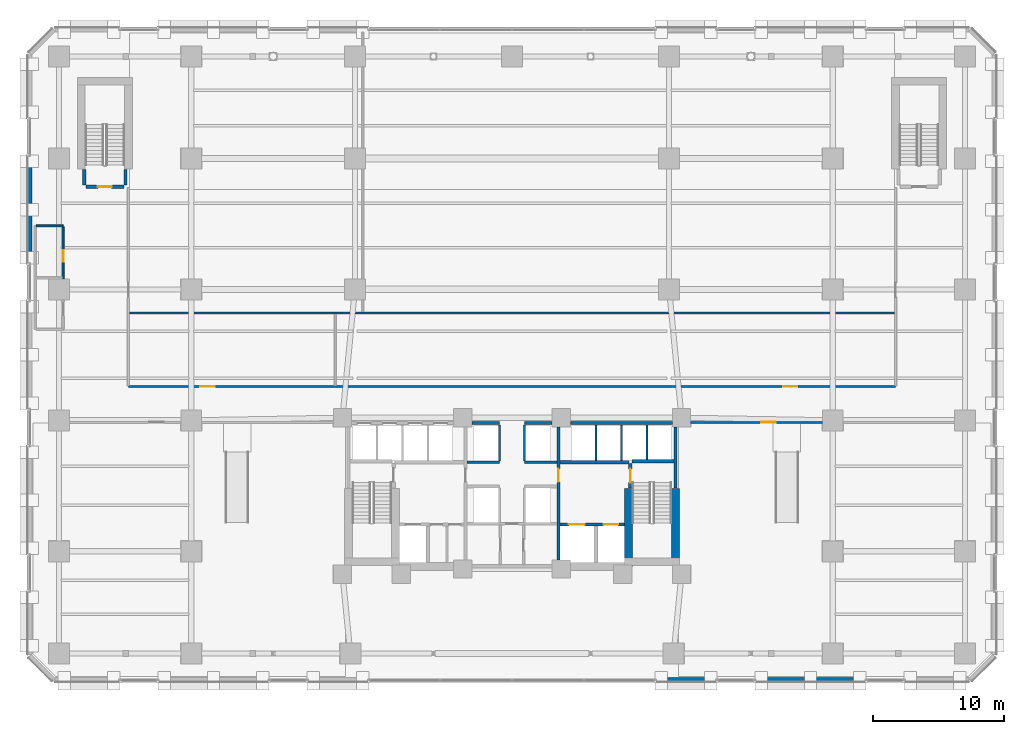
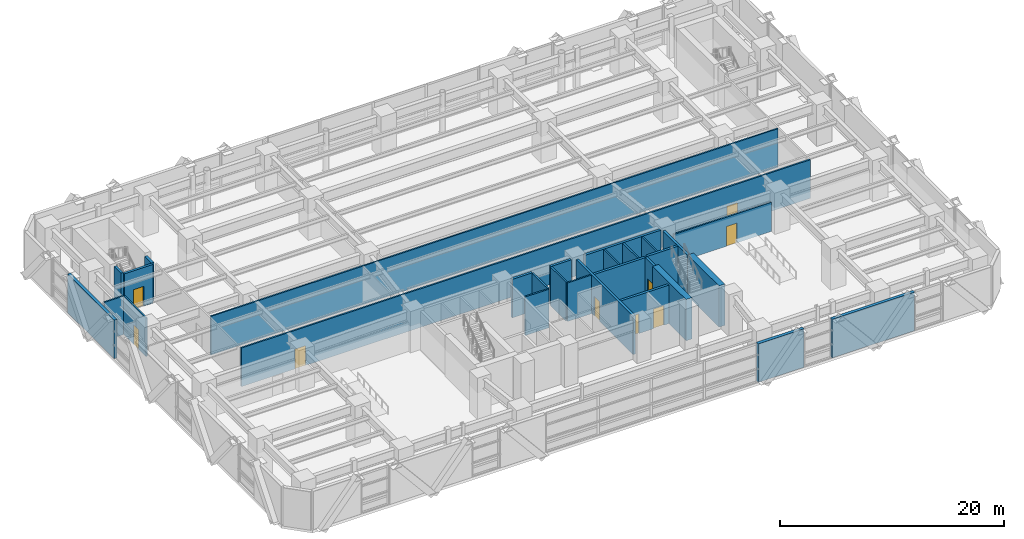
# One storey, part 15 of 26: 29 walls, 9 doors, 9 openings.
"""IFC4 building model written with IfcOpenShell, lengths in metres."""

from ifc_helpers import new_model, si_unit, direction, frame, frame_2d, origin, place, context, subcontext, project, spatial, rectangle, extrude, material, layer, layer_set, type_object, element, fill, save


model = new_model("IFC4")

# Units and contexts
model_context = context("Model", 3, precision=1e-05, world=origin(), true_north=direction((0.0, 1.0)))
body_context = subcontext(model_context, "Body", "Model", "MODEL_VIEW")
ifc_project = project(units=[si_unit("LENGTHUNIT", "METRE"), si_unit("AREAUNIT", "SQUARE_METRE"), si_unit("VOLUMEUNIT", "CUBIC_METRE"), si_unit("PLANEANGLEUNIT", "RADIAN"), si_unit("MASSUNIT", "GRAM", prefix="KILO")], contexts=[model_context])

# Site, building, storey
site_placement = place(None, origin())
site = spatial("IfcSite", under=ifc_project, at=site_placement, CompositionType="ELEMENT")
building_placement = place(site_placement, origin())
building = spatial("IfcBuilding", under=site, at=building_placement, Name="Quenlor Broadcast Tower", CompositionType="ELEMENT")
storey_placement = place(building_placement, frame((0.0, 0.0, 5.0)))
storey = spatial("IfcBuildingStorey", under=building, at=storey_placement, Name="L01", CompositionType="ELEMENT", Elevation=5.0)

# Wall
ifc_material_1 = material(Name="Acoustic Double Stud Gypsum Partition", Category="other")
ifc_layer_1 = layer(ifc_material_1, 0.14990234375)
ifc_layer_set_1 = layer_set([ifc_layer_1], Name="Broadcast Studio Acoustic Partition 150")
wall_type_1 = type_object("IfcWallType", Name="Broadcast Studio Acoustic Partition 150", PredefinedType="PARTITIONING", material=ifc_layer_set_1)
wall_1_placement = place(storey_placement, frame((-29.219970703125, 3.199951171875, 0.0), z_axis=(0.0, 0.0, 1.0), x_axis=(1.0, 0.0, 0.0)))
element("IfcWall", 1, at=wall_1_placement, inside=storey, type_object=wall_type_1, Name="L01 Interior Wall PW-PD-HY", PredefinedType="PARTITIONING", context=body_context, shape_type="SweptSolid", body=[
    extrude(rectangle(XDim=58.43994140625, YDim=0.14990234375, at=frame_2d((29.219970703125, 0.0))), origin(), (0.0, 0.0, 1.0), 4.199951171875),
])

# Wall, opening, door
wall_2_placement = place(storey_placement, frame((-34.280029296875, 5.802001953125, 0.0), z_axis=(0.0, 0.0, 1.0), x_axis=(0.0, 1.0, 0.0)))
wall_2 = element("IfcWall", 2, at=wall_2_placement, inside=storey, type_object=wall_type_1, Name="L01 Interior Wall PW-PD-WCES2", PredefinedType="PARTITIONING", context=body_context, shape_type="SweptSolid", body=[
    extrude(rectangle(XDim=3.988037109375, YDim=0.14990234375, at=frame_2d((1.994140625, 0.0))), origin(), (0.0, 0.0, 1.0), 4.199951171875),
])
opening_1_placement = place(wall_2_placement, frame((1.30810546875, 0.0, 0.0)))
opening_1 = element("IfcOpeningElement", 3, at=opening_1_placement, cuts=wall_2, Name="Opening ID-3", PredefinedType="OPENING", context=body_context, shape_type="SweptSolid", body=[
    extrude(rectangle(XDim=0.89990234375, YDim=2.1201171875, at=frame_2d((0.449951171875, 1.06005859375))), frame((0.0, 0.0849609375, 0.0), z_axis=(0.0, -1.0, 0.0), x_axis=(1.0, 0.0, 0.0)), (0.0, 0.0, 1.0), 0.169921875),
])
ifc_material_2 = material(Name="Moisture Resistant Timber Oak", Category="wood")
door_type_1 = type_object("IfcDoorType", Name="Washroom Privacy Door 900x2120", OperationType="NOTDEFINED", PredefinedType="DOOR", material=ifc_material_2)
door_1_placement = place(opening_1_placement, origin())
door_1 = element("IfcDoor", 4, at=door_1_placement, inside=storey, type_object=door_type_1, Name="L01 Door DR-PD-FWC", OperationType="SINGLE_SWING_RIGHT", OverallHeight=2.1201171875, OverallWidth=0.89990234375, PredefinedType="DOOR", context=body_context, shape_type="SweptSolid", body=[
    extrude(rectangle(XDim=0.89990234375, YDim=2.1201171875, at=frame_2d((0.449951171875, 1.06005859375))), frame((0.0, 0.02490234375, 0.0), z_axis=(0.0, -1.0, 0.0), x_axis=(1.0, 0.0, 0.0)), (0.0, 0.0, 1.0), 0.050048828125),
])
fill(opening_1, door_1)

# Walls
wall_3_placement = place(storey_placement, frame((-36.343017578125, 9.85009765625, 0.0), z_axis=(0.0, 0.0, 1.0), x_axis=(1.0, 0.0, 0.0)))
element("IfcWall", 5, at=wall_3_placement, inside=storey, type_object=wall_type_1, Name="L01 Interior Wall PW-PD-WCN", PredefinedType="PARTITIONING", context=body_context, shape_type="SweptSolid", body=[
    extrude(rectangle(XDim=2.06298828125, YDim=0.14990234375, at=frame_2d((1.031494140625, 0.0))), origin(), (0.0, 0.0, 1.0), 4.199951171875),
])
ifc_material_3 = material(Name="Concrete C65/80", Category="concrete")
ifc_layer_2 = layer(ifc_material_3, 0.60009765625)
ifc_layer_set_2 = layer_set([ifc_layer_2], Name="Core Concrete C65/80 Shear Wall 600")
wall_type_2 = type_object("IfcWallType", Name="Core Concrete C65/80 Shear Wall 600", PredefinedType="SHEAR", material=ifc_layer_set_2)
wall_4_placement = place(storey_placement, frame((12.5, -15.800048828125, 0.0), z_axis=(0.0, 0.0, 1.0), x_axis=(0.0, 1.0, 0.0)))
element("IfcWall", 6, at=wall_4_placement, inside=storey, type_object=wall_type_2, Name="L01 Core Shear Wall WF-E", PredefinedType="SHEAR", context=body_context, shape_type="SweptSolid", body=[
    extrude(rectangle(XDim=5.60009765625, YDim=0.60009765625, at=frame_2d((2.800048828125, 0.0))), origin(), (0.0, 0.0, 1.0), 4.5),
])
wall_5_placement = place(storey_placement, frame((8.89990234375, -16.14990234375, 0.0), z_axis=(0.0, 0.0, 1.0), x_axis=(0.0, 1.0, 0.0)))
element("IfcWall", 7, at=wall_5_placement, inside=storey, type_object=wall_type_2, Name="L01 Core Shear Wall WI-E", PredefinedType="SHEAR", context=body_context, shape_type="SweptSolid", body=[
    extrude(rectangle(XDim=5.949951171875, YDim=0.60009765625, at=frame_2d((2.97509765625, 0.0))), origin(), (0.0, 0.0, 1.0), 4.5),
])

# Wall, opening, door
ifc_material_4 = material(Name="Concrete C40/50", Category="concrete")
ifc_layer_3 = layer(ifc_material_4, 0.25)
ifc_layer_set_3 = layer_set([ifc_layer_3], Name="Fire Rated Concrete C40/50 Core Wall 250")
wall_type_3 = type_object("IfcWallType", Name="Fire Rated Concrete C40/50 Core Wall 250", PredefinedType="PARTITIONING", material=ifc_layer_set_3)
wall_6_placement = place(storey_placement, frame((9.0400390625, -10.179931640625, 0.0), z_axis=(0.0, 0.0, 1.0), x_axis=(0.0, 1.0, 0.0)))
wall_6 = element("IfcWall", 8, at=wall_6_placement, inside=storey, type_object=wall_type_3, Name="L01 Interior Wall CW-ST2-DR", PredefinedType="PARTITIONING", context=body_context, shape_type="SweptSolid", body=[
    extrude(rectangle(XDim=1.89990234375, YDim=0.25, at=frame_2d((0.949951171875, 0.0))), origin(), (0.0, 0.0, 1.0), 4.199951171875),
])
opening_2_placement = place(wall_6_placement, frame((0.419921875, 0.0, 0.0)))
opening_2 = element("IfcOpeningElement", 9, at=opening_2_placement, cuts=wall_6, Name="Opening FD-1", PredefinedType="OPENING", context=body_context, shape_type="SweptSolid", body=[
    extrude(rectangle(XDim=1.050048828125, YDim=2.14990234375, at=frame_2d((0.52490234375, 1.074951171875))), frame((0.0, 0.135009765625, 0.0), z_axis=(0.0, -1.0, 0.0), x_axis=(1.0, 0.0, 0.0)), (0.0, 0.0, 1.0), 0.27001953125),
])
ifc_material_5 = material(Name="Fire Rated Steel Door Leaf", Category="steel")
door_type_2 = type_object("IfcDoorType", Name="Fire Isolated Stair Door 1050x2150", OperationType="NOTDEFINED", PredefinedType="DOOR", material=ifc_material_5)
door_2_placement = place(opening_2_placement, origin())
door_2 = element("IfcDoor", 10, at=door_2_placement, inside=storey, type_object=door_type_2, Name="L01 Door DR-ST2", OperationType="SINGLE_SWING_RIGHT", OverallHeight=2.14990234375, OverallWidth=1.050048828125, PredefinedType="DOOR", context=body_context, shape_type="SweptSolid", body=[
    extrude(rectangle(XDim=1.050048828125, YDim=2.14990234375, at=frame_2d((0.52490234375, 1.074951171875))), frame((0.0, 0.02490234375, 0.0), z_axis=(0.0, -1.0, 0.0), x_axis=(1.0, 0.0, 0.0)), (0.0, 0.0, 1.0), 0.050048828125),
])
fill(opening_2, door_2)

# Walls
wall_7_placement = place(storey_placement, frame((9.159912109375, -8.1201171875, 0.0), z_axis=(0.0, 0.0, 1.0), x_axis=(1.0, 0.0, 0.0)))
element("IfcWall", 11, at=wall_7_placement, inside=storey, type_object=wall_type_3, Name="L01 Interior Wall CW-ST2-N", PredefinedType="PARTITIONING", context=body_context, shape_type="SweptSolid", body=[
    extrude(rectangle(XDim=3.219970703125, YDim=0.25, at=frame_2d((1.60986328125, 0.0))), origin(), (0.0, 0.0, 1.0), 4.199951171875),
])
wall_8_placement = place(storey_placement, frame((12.47998046875, -10.179931640625, 0.0), z_axis=(0.0, 0.0, 1.0), x_axis=(0.0, 1.0, 0.0)))
element("IfcWall", 12, at=wall_8_placement, inside=storey, type_object=wall_type_3, Name="L01 Interior Wall CW-ST2-E2", PredefinedType="PARTITIONING", context=body_context, shape_type="SweptSolid", body=[
    extrude(rectangle(XDim=4.677978515625, YDim=0.25, at=frame_2d((2.3388671875, 0.0))), origin(), (0.0, 0.0, 1.0), 4.199951171875),
])

# Wall, opening, door
wall_9_placement = place(storey_placement, frame((-32.550048828125, 12.840087890625, 0.0), z_axis=(0.0, 0.0, 1.0), x_axis=(1.0, 0.0, 0.0)))
wall_9 = element("IfcWall", 13, at=wall_9_placement, inside=storey, type_object=wall_type_3, Name="L01 Interior Wall CW-ST3-S", PredefinedType="PARTITIONING", context=body_context, shape_type="SweptSolid", body=[
    extrude(rectangle(XDim=2.900146484375, YDim=0.25, at=frame_2d((1.4501953125, 0.0))), origin(), (0.0, 0.0, 1.0), 4.199951171875),
])
opening_3_placement = place(wall_9_placement, frame((0.919921875, 0.0, 0.0)))
opening_3 = element("IfcOpeningElement", 14, at=opening_3_placement, cuts=wall_9, Name="Opening FD-1", PredefinedType="OPENING", context=body_context, shape_type="SweptSolid", body=[
    extrude(rectangle(XDim=1.050048828125, YDim=2.14990234375, at=frame_2d((0.52490234375, 1.074951171875))), frame((0.0, 0.135009765625, 0.0), z_axis=(0.0, -1.0, 0.0), x_axis=(1.0, 0.0, 0.0)), (0.0, 0.0, 1.0), 0.27001953125),
])
door_3_placement = place(opening_3_placement, origin())
door_3 = element("IfcDoor", 15, at=door_3_placement, inside=storey, type_object=door_type_2, Name="L01 Door DR-ST3", OperationType="SINGLE_SWING_LEFT", OverallHeight=2.14990234375, OverallWidth=1.050048828125, PredefinedType="DOOR", context=body_context, shape_type="SweptSolid", body=[
    extrude(rectangle(XDim=1.050048828125, YDim=2.14990234375, at=frame_2d((0.52490234375, 1.074951171875))), frame((0.0, 0.02490234375, 0.0), z_axis=(0.0, -1.0, 0.0), x_axis=(1.0, 0.0, 0.0)), (0.0, 0.0, 1.0), 0.050048828125),
])
fill(opening_3, door_3)

# Walls
for number, where, z_axis, x_axis, name in (
    (16, (-32.679931640625, 12.9599609375, 0.0), (0.0, 0.0, 1.0), (0.0, 1.0, 0.0), "L01 Interior Wall CW-ST3-W1"),
    (17, (-29.52001953125, 12.9599609375, 0.0), (0.0, 0.0, 1.0), (0.0, 1.0, 0.0), "L01 Interior Wall CW-ST3-E1"),
):
    element("IfcWall", number, at=place(storey_placement, frame(where, z_axis=z_axis, x_axis=x_axis)), inside=storey, type_object=wall_type_3, Name=name, PredefinedType="PARTITIONING", context=body_context, shape_type="SweptSolid", body=[
        extrude(rectangle(XDim=1.219970703125, YDim=0.25, at=frame_2d((0.60986328125, 0.0))), origin(), (0.0, 0.0, 1.0), 4.199951171875),
    ])

# Wall, openings, doors
wall_10_placement = place(storey_placement, frame((3.679931640625, -12.949951171875, 0.0), z_axis=(0.0, 0.0, 1.0), x_axis=(1.0, 0.0, 0.0)))
wall_10 = element("IfcWall", 18, at=wall_10_placement, inside=storey, type_object=wall_type_3, Name="L01 Interior Wall CW-FFE-S", PredefinedType="PARTITIONING", context=body_context, shape_type="SweptSolid", body=[
    extrude(rectangle(XDim=4.91796875, YDim=0.25, at=frame_2d((2.458984375, 0.0))), origin(), (0.0, 0.0, 1.0), 4.199951171875),
])
opening_4_placement = place(wall_10_placement, frame((3.320068359375, 0.0, 0.0)))
opening_4 = element("IfcOpeningElement", 19, at=opening_4_placement, cuts=wall_10, Name="Opening LD-FFL-2", PredefinedType="OPENING", context=body_context, shape_type="SweptSolid", body=[
    extrude(rectangle(XDim=1.10009765625, YDim=2.14990234375, at=frame_2d((0.550048828125, 1.074951171875))), frame((0.0, 0.135009765625, 0.0), z_axis=(0.0, -1.0, 0.0), x_axis=(1.0, 0.0, 0.0)), (0.0, 0.0, 1.0), 0.27001953125),
])
opening_5_placement = place(wall_10_placement, frame((0.669921875, 0.0, 0.0)))
opening_5 = element("IfcOpeningElement", 20, at=opening_5_placement, cuts=wall_10, Name="Opening LD-SVL-1", PredefinedType="OPENING", context=body_context, shape_type="SweptSolid", body=[
    extrude(rectangle(XDim=1.199951171875, YDim=2.14990234375, at=frame_2d((0.60009765625, 1.074951171875))), frame((0.0, 0.135009765625, 0.0), z_axis=(0.0, -1.0, 0.0), x_axis=(1.0, 0.0, 0.0)), (0.0, 0.0, 1.0), 0.27001953125),
])
ifc_material_6 = material(Name="Brushed Stainless Steel", Category="steel")
door_type_3 = type_object("IfcDoorType", Name="Emergency Lift Sliding Landing Door 1100x2150", OperationType="NOTDEFINED", PredefinedType="DOOR", material=ifc_material_6)
door_4_placement = place(opening_4_placement, origin())
door_4 = element("IfcDoor", 21, at=door_4_placement, inside=storey, type_object=door_type_3, Name="L01 Door LD-FFL-2", OperationType="SLIDING_TO_RIGHT", OverallHeight=2.14990234375, OverallWidth=1.10009765625, PredefinedType="DOOR", context=body_context, shape_type="SweptSolid", body=[
    extrude(rectangle(XDim=1.10009765625, YDim=2.14990234375, at=frame_2d((0.550048828125, 1.074951171875))), frame((0.0, 0.02490234375, 0.0), z_axis=(0.0, -1.0, 0.0), x_axis=(1.0, 0.0, 0.0)), (0.0, 0.0, 1.0), 0.050048828125),
])
fill(opening_4, door_4)
ifc_material_7 = material(Name="Brushed Stainless Steel", Category="steel")
door_type_4 = type_object("IfcDoorType", Name="Goods Lift Sliding Landing Door 1200x2150", OperationType="NOTDEFINED", PredefinedType="DOOR", material=ifc_material_7)
door_5_placement = place(opening_5_placement, origin())
door_5 = element("IfcDoor", 22, at=door_5_placement, inside=storey, type_object=door_type_4, Name="L01 Door LD-SVL-1", OperationType="SLIDING_TO_LEFT", OverallHeight=2.14990234375, OverallWidth=1.199951171875, PredefinedType="DOOR", context=body_context, shape_type="SweptSolid", body=[
    extrude(rectangle(XDim=1.199951171875, YDim=2.14990234375, at=frame_2d((0.60009765625, 1.074951171875))), frame((0.0, 0.02490234375, 0.0), z_axis=(0.0, -1.0, 0.0), x_axis=(1.0, 0.0, 0.0)), (0.0, 0.0, 1.0), 0.050048828125),
])
fill(opening_5, door_5)

# Wall
wall_11_placement = place(storey_placement, frame((3.679931640625, -8.199951171875, 0.0), z_axis=(0.0, 0.0, 1.0), x_axis=(1.0, 0.0, 0.0)))
element("IfcWall", 23, at=wall_11_placement, inside=storey, type_object=wall_type_3, Name="L01 Interior Wall CW-FFE-N", PredefinedType="PARTITIONING", context=body_context, shape_type="SweptSolid", body=[
    extrude(rectangle(XDim=5.239990234375, YDim=0.25, at=frame_2d((2.6201171875, 0.0))), origin(), (0.0, 0.0, 1.0), 4.199951171875),
])

# Wall, opening, door
wall_12_placement = place(storey_placement, frame((3.550048828125, -15.64794921875, 0.0), z_axis=(0.0, 0.0, 1.0), x_axis=(0.0, 1.0, 0.0)))
wall_12 = element("IfcWall", 24, at=wall_12_placement, inside=storey, type_object=wall_type_3, Name="L01 Interior Wall CW-FFE-W", PredefinedType="PARTITIONING", context=body_context, shape_type="SweptSolid", body=[
    extrude(rectangle(XDim=10.14599609375, YDim=0.25, at=frame_2d((5.072998046875, 0.0))), origin(), (0.0, 0.0, 1.0), 4.199951171875),
])
opening_6_placement = place(wall_12_placement, frame((5.947998046875, 0.0, 0.0)))
opening_6 = element("IfcOpeningElement", 25, at=opening_6_placement, cuts=wall_12, Name="Opening FD-2", PredefinedType="OPENING", context=body_context, shape_type="SweptSolid", body=[
    extrude(rectangle(XDim=1.0, YDim=2.14990234375, at=frame_2d((0.5, 1.074951171875))), frame((0.0, 0.135009765625, 0.0), z_axis=(0.0, -1.0, 0.0), x_axis=(1.0, 0.0, 0.0)), (0.0, 0.0, 1.0), 0.27001953125),
])
ifc_material_8 = material(Name="Fire Rated Glazed Steel Door", Category="steel")
door_type_5 = type_object("IfcDoorType", Name="Firefighting Lobby Smoke Door 1000x2150", OperationType="NOTDEFINED", PredefinedType="DOOR", material=ifc_material_8)
door_6_placement = place(opening_6_placement, origin())
door_6 = element("IfcDoor", 26, at=door_6_placement, inside=storey, type_object=door_type_5, Name="L01 Door DR-FFLE", OperationType="SINGLE_SWING_LEFT", OverallHeight=2.14990234375, OverallWidth=1.0, PredefinedType="DOOR", context=body_context, shape_type="SweptSolid", body=[
    extrude(rectangle(XDim=1.0, YDim=2.14990234375, at=frame_2d((0.5, 1.074951171875))), frame((0.0, 0.02490234375, 0.0), z_axis=(0.0, -1.0, 0.0), x_axis=(1.0, 0.0, 0.0)), (0.0, 0.0, 1.0), 0.050048828125),
])
fill(opening_6, door_6)

# Walls
wall_13_placement = place(storey_placement, frame((4.451904296875, -5.199951171875, 0.0), z_axis=(0.0, 0.0, 1.0), x_axis=(1.0, 0.0, 0.0)))
element("IfcWall", 27, at=wall_13_placement, inside=storey, type_object=wall_type_3, Name="L01 Interior Wall CW-N-E", PredefinedType="PARTITIONING", context=body_context, shape_type="SweptSolid", body=[
    extrude(rectangle(XDim=7.796142578125, YDim=0.25, at=frame_2d((3.89794921875, 0.0))), origin(), (0.0, 0.0, 1.0), 4.199951171875),
])
for number, where, z_axis, x_axis, name in (
    (28, (-3.048095703125, -5.199951171875, 0.0), (0.0, 0.0, 1.0), (1.0, 0.0, 0.0), "L01 Interior Wall CW-N-M1"),
    (29, (0.949951171875, -5.199951171875, 0.0), (0.0, 0.0, 1.0), (1.0, 0.0, 0.0), "L01 Interior Wall CW-N-M2"),
):
    element("IfcWall", number, at=place(storey_placement, frame(where, z_axis=z_axis, x_axis=x_axis)), inside=storey, type_object=wall_type_3, Name=name, PredefinedType="PARTITIONING", context=body_context, shape_type="SweptSolid", body=[
        extrude(rectangle(XDim=2.09814453125, YDim=0.25, at=frame_2d((1.049072265625, 0.0))), origin(), (0.0, 0.0, 1.0), 4.199951171875),
    ])
ifc_material_9 = material(Name="Gypsum Fireboard Partition", Category="other")
ifc_layer_4 = layer(ifc_material_9, 0.159912109375)
ifc_layer_set_4 = layer_set([ifc_layer_4], Name="Fire Rated Shaft and Corridor Partition 160")
wall_type_4 = type_object("IfcWallType", Name="Fire Rated Shaft and Corridor Partition 160", PredefinedType="PARTITIONING", material=ifc_layer_set_4)
for number, where, z_axis, x_axis, name in (
    (30, (6.425048828125, -8.072998046875, 0.0), (0.0, 0.0, 1.0), (0.0, 1.0, 0.0), "L01 Interior Wall CW-PLH-D1"),
    (31, (8.375, -8.072998046875, 0.0), (0.0, 0.0, 1.0), (0.0, 1.0, 0.0), "L01 Interior Wall CW-PLH-D2"),
):
    element("IfcWall", number, at=place(storey_placement, frame(where, z_axis=z_axis, x_axis=x_axis)), inside=storey, type_object=wall_type_4, Name=name, PredefinedType="PARTITIONING", context=body_context, shape_type="SweptSolid", body=[
        extrude(rectangle(XDim=2.73291015625, YDim=0.159912109375, at=frame_2d((1.366455078125, 0.0))), origin(), (0.0, 0.0, 1.0), 4.199951171875),
    ])
wall_14_placement = place(storey_placement, frame((10.324951171875, -7.992919921875, 0.0), z_axis=(0.0, 0.0, 1.0), x_axis=(0.0, 1.0, 0.0)))
element("IfcWall", 32, at=wall_14_placement, inside=storey, type_object=wall_type_4, Name="L01 Interior Wall CW-PLH-D3", PredefinedType="PARTITIONING", context=body_context, shape_type="SweptSolid", body=[
    extrude(rectangle(XDim=2.65283203125, YDim=0.159912109375, at=frame_2d((1.326416015625, 0.0))), origin(), (0.0, 0.0, 1.0), 4.199951171875),
])
for number, where, z_axis, x_axis, name in (
    (33, (-0.949951171875, -8.1201171875, 0.0), (0.0, 0.0, 1.0), (0.0, 1.0, 0.0), "L01 Interior Wall CW-CCRP-W"),
    (34, (0.949951171875, -8.1201171875, 0.0), (0.0, 0.0, 1.0), (0.0, 1.0, 0.0), "L01 Interior Wall CW-CCRP-E"),
):
    element("IfcWall", number, at=place(storey_placement, frame(where, z_axis=z_axis, x_axis=x_axis)), inside=storey, type_object=wall_type_4, Name=name, PredefinedType="PARTITIONING", context=body_context, shape_type="SweptSolid", body=[
        extrude(rectangle(XDim=2.780029296875, YDim=0.159912109375, at=frame_2d((1.39013671875, 0.0))), origin(), (0.0, 0.0, 1.0), 4.199951171875),
    ])
for number, where, z_axis, x_axis, name in (
    (35, (-3.419921875, -8.199951171875, 0.0), (0.0, 0.0, 1.0), (1.0, 0.0, 0.0), "L01 Interior Wall CW-M-BACK1"),
    (36, (0.949951171875, -8.199951171875, 0.0), (0.0, 0.0, 1.0), (1.0, 0.0, 0.0), "L01 Interior Wall CW-M-BACK2"),
):
    element("IfcWall", number, at=place(storey_placement, frame(where, z_axis=z_axis, x_axis=x_axis)), inside=storey, type_object=wall_type_4, Name=name, PredefinedType="PARTITIONING", context=body_context, shape_type="SweptSolid", body=[
        extrude(rectangle(XDim=2.469970703125, YDim=0.159912109375, at=frame_2d((1.23486328125, 0.0))), origin(), (0.0, 0.0, 1.0), 4.199951171875),
    ])

# Wall, openings, doors
wall_15_placement = place(storey_placement, frame((-29.300048828125, -2.419921875, 0.0), z_axis=(0.0, 0.0, 1.0), x_axis=(1.0, 0.0, 0.0)))
wall_15 = element("IfcWall", 37, at=wall_15_placement, inside=storey, type_object=wall_type_4, Name="L01 Interior Wall PW-PD-CN", PredefinedType="PARTITIONING", context=body_context, shape_type="SweptSolid", body=[
    extrude(rectangle(XDim=58.60009765625, YDim=0.159912109375, at=frame_2d((29.300048828125, 0.0))), origin(), (0.0, 0.0, 1.0), 4.199951171875),
])
opening_7_placement = place(wall_15_placement, frame((5.5, 0.0, 0.0)))
opening_7 = element("IfcOpeningElement", 38, at=opening_7_placement, cuts=wall_15, Name="Opening ID-2", PredefinedType="OPENING", context=body_context, shape_type="SweptSolid", body=[
    extrude(rectangle(XDim=1.10009765625, YDim=2.14990234375, at=frame_2d((0.550048828125, 1.074951171875))), frame((0.0, 0.08984375, 0.0), z_axis=(0.0, -1.0, 0.0), x_axis=(1.0, 0.0, 0.0)), (0.0, 0.0, 1.0), 0.179931640625),
])
opening_8_placement = place(wall_15_placement, frame((50.0, 0.0, 0.0)))
opening_8 = element("IfcOpeningElement", 39, at=opening_8_placement, cuts=wall_15, Name="Opening ID-2", PredefinedType="OPENING", context=body_context, shape_type="SweptSolid", body=[
    extrude(rectangle(XDim=1.10009765625, YDim=2.14990234375, at=frame_2d((0.550048828125, 1.074951171875))), frame((0.0, 0.08984375, 0.0), z_axis=(0.0, -1.0, 0.0), x_axis=(1.0, 0.0, 0.0)), (0.0, 0.0, 1.0), 0.179931640625),
])
ifc_material_10 = material(Name="Acoustic Laminated Timber Oak", Category="wood")
door_type_6 = type_object("IfcDoorType", Name="Wide Studio Acoustic Timber Door 1100x2150", OperationType="NOTDEFINED", PredefinedType="DOOR", material=ifc_material_10)
door_7_placement = place(opening_7_placement, origin())
door_7 = element("IfcDoor", 40, at=door_7_placement, inside=storey, type_object=door_type_6, Name="L01 Door DR-PD3", OperationType="SINGLE_SWING_LEFT", OverallHeight=2.14990234375, OverallWidth=1.10009765625, PredefinedType="DOOR", context=body_context, shape_type="SweptSolid", body=[
    extrude(rectangle(XDim=1.10009765625, YDim=2.14990234375, at=frame_2d((0.550048828125, 1.074951171875))), frame((0.0, 0.02490234375, 0.0), z_axis=(0.0, -1.0, 0.0), x_axis=(1.0, 0.0, 0.0)), (0.0, 0.0, 1.0), 0.050048828125),
])
fill(opening_7, door_7)
door_8_placement = place(opening_8_placement, origin())
door_8 = element("IfcDoor", 41, at=door_8_placement, inside=storey, type_object=door_type_6, Name="L01 Door DR-PD4", OperationType="SINGLE_SWING_RIGHT", OverallHeight=2.14990234375, OverallWidth=1.10009765625, PredefinedType="DOOR", context=body_context, shape_type="SweptSolid", body=[
    extrude(rectangle(XDim=1.10009765625, YDim=2.14990234375, at=frame_2d((0.550048828125, 1.074951171875))), frame((0.0, 0.02490234375, 0.0), z_axis=(0.0, -1.0, 0.0), x_axis=(1.0, 0.0, 0.0)), (0.0, 0.0, 1.0), 0.050048828125),
])
fill(opening_8, door_8)

# Wall, opening, door
wall_16_placement = place(storey_placement, frame((13.652099609375, -5.14990234375, 0.0), z_axis=(0.0, 0.0, 1.0), x_axis=(1.0, 0.0, 0.0)))
wall_16 = element("IfcWall", 42, at=wall_16_placement, inside=storey, type_object=wall_type_4, Name="L01 Interior Wall PW-PD-CSE", PredefinedType="PARTITIONING", context=body_context, shape_type="SweptSolid", body=[
    extrude(rectangle(XDim=10.0458984375, YDim=0.159912109375, at=frame_2d((5.02294921875, 0.0))), origin(), (0.0, 0.0, 1.0), 3.176025390625),
])
opening_9_placement = place(wall_16_placement, frame((5.39794921875, 0.0, 0.0)))
opening_9 = element("IfcOpeningElement", 43, at=opening_9_placement, cuts=wall_16, Name="Opening ID-2", PredefinedType="OPENING", context=body_context, shape_type="SweptSolid", body=[
    extrude(rectangle(XDim=1.10009765625, YDim=2.14990234375, at=frame_2d((0.550048828125, 1.074951171875))), frame((0.0, 0.08984375, 0.0), z_axis=(0.0, -1.0, 0.0), x_axis=(1.0, 0.0, 0.0)), (0.0, 0.0, 1.0), 0.179931640625),
])
door_9_placement = place(opening_9_placement, origin())
door_9 = element("IfcDoor", 44, at=door_9_placement, inside=storey, type_object=door_type_6, Name="L01 Door DR-PD2", OperationType="SINGLE_SWING_RIGHT", OverallHeight=2.14990234375, OverallWidth=1.10009765625, PredefinedType="DOOR", context=body_context, shape_type="SweptSolid", body=[
    extrude(rectangle(XDim=1.10009765625, YDim=2.14990234375, at=frame_2d((0.550048828125, 1.074951171875))), frame((0.0, 0.02490234375, 0.0), z_axis=(0.0, -1.0, 0.0), x_axis=(1.0, 0.0, 0.0)), (0.0, 0.0, 1.0), 0.050048828125),
])
fill(opening_9, door_9)

# Walls
ifc_material_11 = material(Name="Precast concrete C40/50", Category="concrete")
ifc_layer_5 = layer(ifc_material_11, 0.320068359375)
ifc_layer_set_5 = layer_set([ifc_layer_5], Name="Station Podium Precast Concrete C40/50 Facade Wall 320")
wall_type_5 = type_object("IfcWallType", Name="Station Podium Precast Concrete C40/50 Facade Wall 320", PredefinedType="STANDARD", material=ifc_layer_set_5)
wall_17_placement = place(storey_placement, frame((27.049560546875, -24.820068359375, 0.0), z_axis=(0.0, 0.0, 1.0), x_axis=(-1.0, 0.0, 0.0)))
element("IfcWall", 45, at=wall_17_placement, inside=storey, type_object=wall_type_5, Name="L01 Exterior Wall L01-S-FULL-SP2", PredefinedType="STANDARD", context=body_context, shape_type="SweptSolid", body=[
    extrude(rectangle(XDim=8.4990234375, YDim=0.320068359375, at=frame_2d((4.24951171875, 0.0))), origin(), (0.0, 0.0, 1.0), 4.199951171875),
])
wall_18_placement = place(storey_placement, frame((15.6494140625, -24.820068359375, 0.0), z_axis=(0.0, 0.0, 1.0), x_axis=(-1.0, 0.0, 0.0)))
element("IfcWall", 46, at=wall_18_placement, inside=storey, type_object=wall_type_5, Name="L01 Exterior Wall L01-S-FULL-SP3", PredefinedType="STANDARD", context=body_context, shape_type="SweptSolid", body=[
    extrude(rectangle(XDim=4.698974609375, YDim=0.320068359375, at=frame_2d((2.349609375, 0.0))), origin(), (0.0, 0.0, 1.0), 4.199951171875),
])
wall_19_placement = place(storey_placement, frame((-36.820068359375, 6.947265625, 0.0), z_axis=(0.0, 0.0, 1.0), x_axis=(0.0, 1.0, 0.0)))
element("IfcWall", 47, at=wall_19_placement, inside=storey, type_object=wall_type_5, Name="L01 Exterior Wall L01-W-FULL-SP4", PredefinedType="STANDARD", context=body_context, shape_type="SweptSolid", body=[
    extrude(rectangle(XDim=8.305419921875, YDim=0.320068359375, at=frame_2d((4.15283203125, 0.0))), origin(), (0.0, 0.0, 1.0), 4.199951171875),
])

save(model, "model.ifc")
